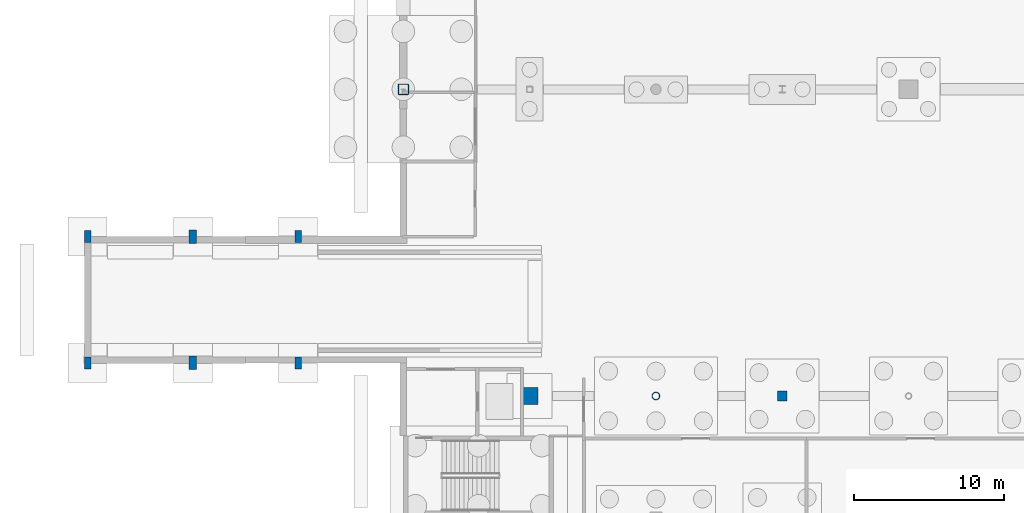
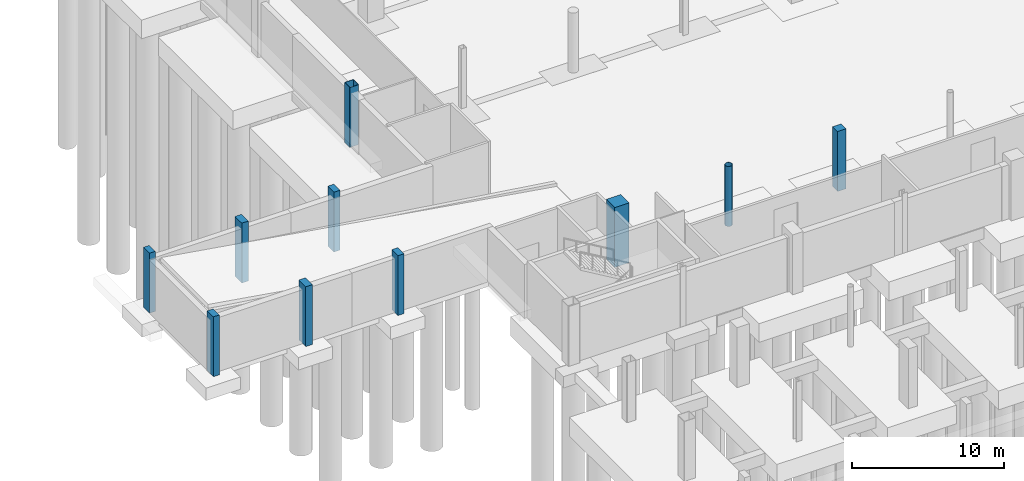
# One storey, part 7 of 34: 10 columns.
"""IFC4 building model written with IfcOpenShell, lengths in metres."""

from ifc_helpers import new_model, si_unit, direction, frame, origin, origin_2d, place, context, subcontext, project, spatial, rectangle, hollow_rectangle, hollow_circle, extrude, material, material_profile, profile_set, type_object, element, save


model = new_model("IFC4")

# Units and contexts
model_context = context("Model", 3, precision=1e-05, world=origin(), true_north=direction((0.0, 1.0)))
body_context = subcontext(model_context, "Body", "Model", "MODEL_VIEW")
ifc_project = project(units=[si_unit("LENGTHUNIT", "METRE"), si_unit("AREAUNIT", "SQUARE_METRE"), si_unit("VOLUMEUNIT", "CUBIC_METRE"), si_unit("PLANEANGLEUNIT", "RADIAN"), si_unit("MASSUNIT", "GRAM", prefix="KILO")], contexts=[model_context])

# Site, building, storey
site_placement = place(None, origin())
site = spatial("IfcSite", under=ifc_project, at=site_placement, CompositionType="ELEMENT")
building_placement = place(site_placement, origin())
building = spatial("IfcBuilding", under=site, at=building_placement, Name="Larkvane Passage Sports Hall", CompositionType="ELEMENT")
storey_placement = place(building_placement, frame((0.0, 0.0, -4.800048828125)))
storey = spatial("IfcBuildingStorey", under=building, at=storey_placement, Name="B01", CompositionType="ELEMENT", Elevation=-4.800048828125)

# Columns
ifc_material_1 = material(Name="Concrete C50/60", Category="concrete")
ifc_material_profile_1 = material_profile(ifc_material_1, rectangle(XDim=1.10009765625, YDim=1.10009765625, at=origin_2d()), Name="RC-COL-1100x1100")
ifc_profile_set_1 = profile_set([ifc_material_profile_1], Name="Concrete C50/60")
column_type_1 = type_object("IfcColumnType", Name="COL-RC-1100", PredefinedType="COLUMN", material=ifc_profile_set_1)
column_1_placement = place(storey_placement, frame((43.199951171875, 31.199951171875, 0.0), z_axis=(0.0, 0.0, 1.0), x_axis=(1.0, 0.0, 0.0)))
element("IfcColumn", 1, at=column_1_placement, inside=storey, type_object=column_type_1, Name="Column 7/E B01", PredefinedType="COLUMN", context=body_context, shape_type="SweptSolid", body=[
    extrude(rectangle(XDim=1.10009765625, YDim=1.10009765625, at=origin_2d()), origin(), (0.0, 0.0, 1.0), 4.800048828125),
])
ifc_material_2 = material(Name="Concrete C40/50", Category="concrete")
ifc_material_profile_2 = material_profile(ifc_material_2, rectangle(XDim=0.64990234375, YDim=0.64990234375, at=origin_2d()), Name="RC-COL-650x650")
ifc_profile_set_2 = profile_set([ifc_material_profile_2], Name="Concrete C40/50")
column_type_2 = type_object("IfcColumnType", Name="COL-RC-650", PredefinedType="COLUMN", material=ifc_profile_set_2)
column_2_placement = place(storey_placement, frame((60.0, 31.199951171875, 0.0), z_axis=(0.0, 0.0, 1.0), x_axis=(1.0, 0.0, 0.0)))
element("IfcColumn", 2, at=column_2_placement, inside=storey, type_object=column_type_2, Name="Column 9/E B01", PredefinedType="COLUMN", context=body_context, shape_type="SweptSolid", body=[
    extrude(rectangle(XDim=0.64990234375, YDim=0.64990234375, at=origin_2d()), origin(), (0.0, 0.0, 1.0), 4.800048828125),
])
ifc_material_3 = material(Name="Steel S460N", Category="steel")
ifc_material_profile_3 = material_profile(ifc_material_3, hollow_rectangle(XDim=0.699951171875, YDim=0.699951171875, WallThickness=0.028076171875, InnerFilletRadius=0.028076171875, OuterFilletRadius=0.055908203125, at=origin_2d()), Name="BOX-700x700x28")
ifc_profile_set_3 = profile_set([ifc_material_profile_3], Name="Steel S460N")
column_type_3 = type_object("IfcColumnType", Name="COL-STL-BOX700", PredefinedType="COLUMN", material=ifc_profile_set_3)
column_3_placement = place(storey_placement, frame((34.800048828125, 51.60009765625, 0.0), z_axis=(0.0, 0.0, 1.0), x_axis=(1.0, 0.0, 0.0)))
element("IfcColumn", 3, at=column_3_placement, inside=storey, type_object=column_type_3, Name="Column 6/G B01", PredefinedType="COLUMN", context=body_context, shape_type="SweptSolid", body=[
    extrude(hollow_rectangle(XDim=0.699951171875, YDim=0.699951171875, WallThickness=0.028076171875, InnerFilletRadius=0.028076171875, OuterFilletRadius=0.055908203125, at=origin_2d()), origin(), (0.0, 0.0, 1.0), 4.800048828125),
])
ifc_material_profile_4 = material_profile(ifc_material_3, hollow_circle(Radius=0.25390625, WallThickness=0.01904296875, at=origin_2d()), Name="CHS-508.0x19.0")
ifc_profile_set_4 = profile_set([ifc_material_profile_4], Name="Steel S460N")
column_type_4 = type_object("IfcColumnType", Name="COL-STL-CHS508", PredefinedType="COLUMN", material=ifc_profile_set_4)
column_4_placement = place(storey_placement, frame((51.60009765625, 31.199951171875, 0.0), z_axis=(0.0, 0.0, 1.0), x_axis=(1.0, 0.0, 0.0)))
element("IfcColumn", 4, at=column_4_placement, inside=storey, type_object=column_type_4, Name="Column 8/E B01", PredefinedType="COLUMN", context=body_context, shape_type="SweptSolid", body=[
    extrude(hollow_circle(Radius=0.25390625, WallThickness=0.01904296875, at=origin_2d()), origin(), (0.0, 0.0, 1.0), 4.800048828125),
])
ifc_material_profile_5 = material_profile(ifc_material_2, rectangle(XDim=0.449951171875, YDim=0.800048828125, at=origin_2d()), Name="RC-PIL-450x800")
ifc_profile_set_5 = profile_set([ifc_material_profile_5], Name="Concrete C40/50")
column_type_5 = type_object("IfcColumnType", Name="PIL-RC-450x800", PredefinedType="PILASTER", material=ifc_profile_set_5)
for number, where, z_axis, x_axis, name in (
    (5, (13.800048828125, 33.39990234375, 0.0), (0.0, 0.0, 1.0), (1.0, 0.0, 0.0), "Ramp portal pilaster 3/S B01"),
    (6, (13.800048828125, 41.800048828125, 0.0), (0.0, 0.0, 1.0), (1.0, 0.0, 0.0), "Ramp portal pilaster 3/N B01"),
    (7, (27.800048828125, 33.39990234375, 0.0), (0.0, 0.0, 1.0), (1.0, 0.0, 0.0), "Ramp portal pilaster 5/S B01"),
    (8, (27.800048828125, 41.800048828125, 0.0), (0.0, 0.0, 1.0), (1.0, 0.0, 0.0), "Ramp portal pilaster 5/N B01"),
):
    element("IfcColumn", number, at=place(storey_placement, frame(where, z_axis=z_axis, x_axis=x_axis)), inside=storey, type_object=column_type_5, Name=name, PredefinedType="PILASTER", context=body_context, shape_type="SweptSolid", body=[
        extrude(rectangle(XDim=0.449951171875, YDim=0.800048828125, at=origin_2d()), origin(), (0.0, 0.0, 1.0), 4.800048828125),
    ])
ifc_material_profile_6 = material_profile(ifc_material_2, rectangle(XDim=0.5, YDim=0.89990234375, at=origin_2d()), Name="RC-PIL-500x900")
ifc_profile_set_6 = profile_set([ifc_material_profile_6], Name="Concrete C40/50")
column_type_6 = type_object("IfcColumnType", Name="PIL-RC-500x900", PredefinedType="PILASTER", material=ifc_profile_set_6)
for number, where, z_axis, x_axis, name in (
    (9, (20.800048828125, 33.39990234375, 0.0), (0.0, 0.0, 1.0), (1.0, 0.0, 0.0), "Ramp portal pilaster 4/S B01"),
    (10, (20.800048828125, 41.800048828125, 0.0), (0.0, 0.0, 1.0), (1.0, 0.0, 0.0), "Ramp portal pilaster 4/N B01"),
):
    element("IfcColumn", number, at=place(storey_placement, frame(where, z_axis=z_axis, x_axis=x_axis)), inside=storey, type_object=column_type_6, Name=name, PredefinedType="PILASTER", context=body_context, shape_type="SweptSolid", body=[
        extrude(rectangle(XDim=0.5, YDim=0.89990234375, at=origin_2d()), origin(), (0.0, 0.0, 1.0), 4.800048828125),
    ])

save(model, "model.ifc")
